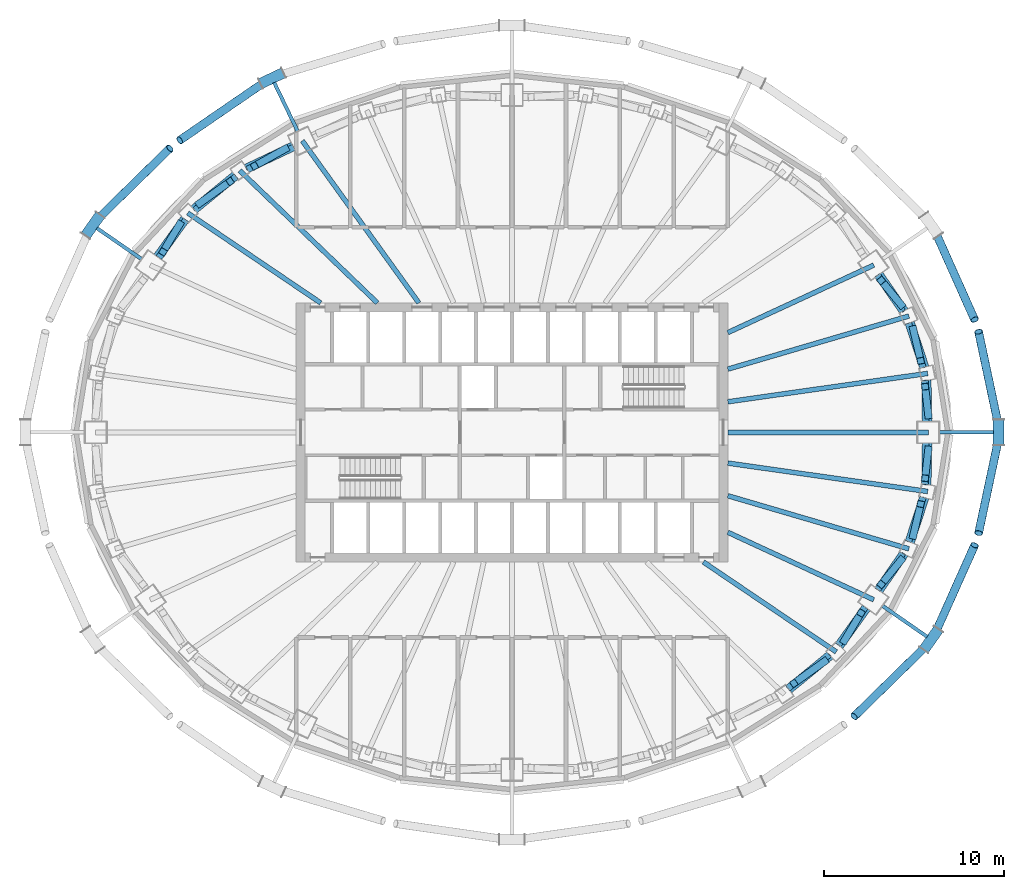
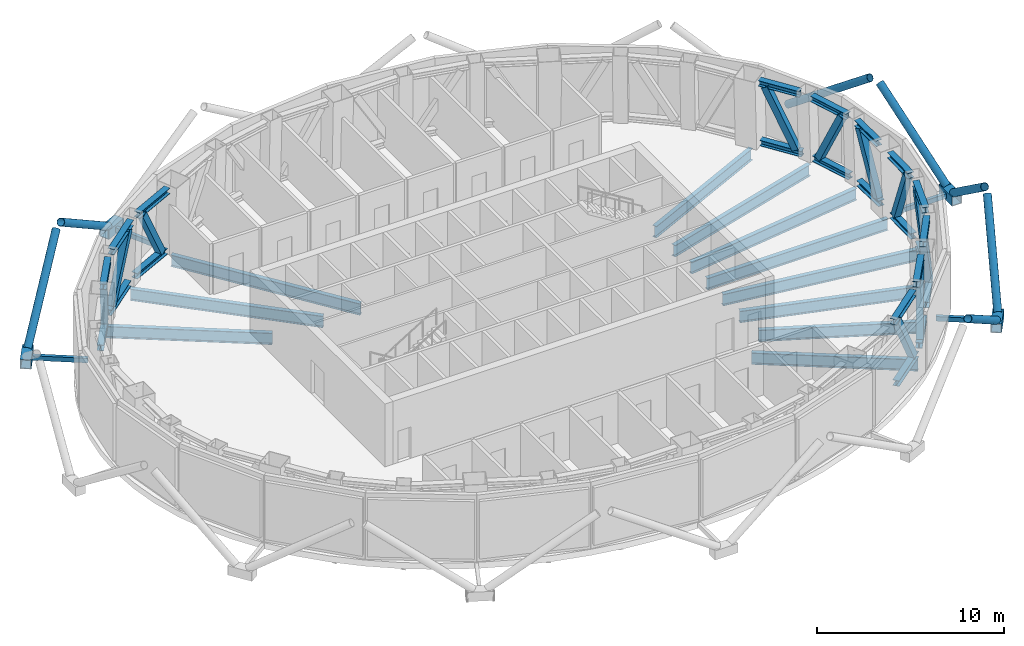
# One storey, part 3 of 16: 33 beams, 26 members.
"""IFC4 building model written with IfcOpenShell, lengths in metres."""

import ifcopenshell
import ifcopenshell.guid

model = None  # the IFC model being written
_history = None  # IfcOwnerHistory: only IFC2X3 demands one
_inside = {}  # id of a spatial element -> (the spatial element, [elements in it])
_under = {}  # id of a project, library or spatial element -> (it, [spatial elements below it])
_declared = {}  # id of a project -> (the project, [libraries it declares])
_typed = {}  # id of a type object -> (the type object, [elements of that type])
_made_of = {}  # id of a material, layer set ... -> (it, [elements and type objects made of it])


def new_model(schema):
    """Start an empty IFC model of exactly this schema.

    Asked for "IFC4X3", IfcOpenShell would pick the latest addendum, in which some entities
    have other attributes; the version numbers below select the first issue.
    IFC2X3 requires an IfcOwnerHistory on every rooted entity: one is made here for all.
    """
    global model, _history
    if schema == "IFC4X3":
        model = ifcopenshell.file(schema_version=(4, 3, 0, 0))
    else:
        model = ifcopenshell.file(schema=schema)
    _inside.clear()
    _under.clear()
    _declared.clear()
    _typed.clear()
    _made_of.clear()
    _history = None
    if model.schema == "IFC2X3":
        org = make("IfcOrganization", Name="unknown")
        user = make(
            "IfcPersonAndOrganization",
            ThePerson=make("IfcPerson", FamilyName="unknown"),
            TheOrganization=org,
        )
        app = make(
            "IfcApplication",
            ApplicationDeveloper=org,
            Version="unknown",
            ApplicationFullName="unknown",
            ApplicationIdentifier="unknown",
        )
        _history = make(
            "IfcOwnerHistory",
            OwningUser=user,
            OwningApplication=app,
            ChangeAction="ADDED",
            CreationDate=0,
        )
    return model


def make(cls, **values):
    """One entity of the class cls with the attributes given. An attribute that is None is left unset."""
    return model.create_entity(
        cls, **{name: value for name, value in values.items() if value is not None}
    )


def rooted(cls, **values):
    """An entity with a GlobalId (a new one), such as an element, a storey or a relation."""
    return make(cls, GlobalId=ifcopenshell.guid.new(), OwnerHistory=_history, **values)


def si_unit(unit_type, name, prefix=None):
    """IfcSIUnit, for example si_unit("LENGTHUNIT", "METRE", prefix="MILLI")."""
    return make("IfcSIUnit", UnitType=unit_type, Prefix=prefix, Name=name)


def assignment(units):
    """IfcUnitAssignment: the units of a project."""
    return None if units is None else make("IfcUnitAssignment", Units=units)


def point(xyz):
    """IfcCartesianPoint."""
    return None if xyz is None else make("IfcCartesianPoint", Coordinates=xyz)


def direction(xyz):
    """IfcDirection."""
    return None if xyz is None else make("IfcDirection", DirectionRatios=xyz)


def frame(location, z_axis=None, x_axis=None):
    """IfcAxis2Placement3D, a coordinate frame: its origin and axes. An axis left out is left unset."""
    return make(
        "IfcAxis2Placement3D",
        Location=point(location),
        Axis=direction(z_axis),
        RefDirection=direction(x_axis),
    )


def frame_2d(location, x_axis=None):
    """IfcAxis2Placement2D, a coordinate frame in the plane: its origin and x axis."""
    return make(
        "IfcAxis2Placement2D", Location=point(location), RefDirection=direction(x_axis)
    )


def origin():
    """The frame at (0, 0, 0) with its axes left unset."""
    return frame((0.0, 0.0, 0.0))


def origin_2d():
    """The frame at (0, 0) in the plane with its x axis left unset."""
    return frame_2d((0.0, 0.0))


def place(relative_to, where):
    """IfcLocalPlacement: puts the frame where relative to a parent placement (None: the world)."""
    return make(
        "IfcLocalPlacement", PlacementRelTo=relative_to, RelativePlacement=where
    )


def context(
    kind, dimensions, precision=None, world=None, true_north=None, identifier=None
):
    """IfcGeometricRepresentationContext, for example the 3D "Model" context."""
    return make(
        "IfcGeometricRepresentationContext",
        ContextIdentifier=identifier,
        ContextType=kind,
        CoordinateSpaceDimension=dimensions,
        Precision=precision,
        WorldCoordinateSystem=world,
        TrueNorth=true_north,
    )


def subcontext(parent, identifier, kind, view, scale=None):
    """IfcGeometricRepresentationSubContext, for example "Body" below "Model"."""
    return make(
        "IfcGeometricRepresentationSubContext",
        ContextIdentifier=identifier,
        ContextType=kind,
        ParentContext=parent,
        TargetScale=scale,
        TargetView=view,
    )


def project(units=None, contexts=None):
    """IfcProject with its units and contexts."""
    return rooted(
        "IfcProject",
        Name="project",
        RepresentationContexts=contexts,
        UnitsInContext=assignment(units),
    )


def spatial(cls, under=None, at=None, **own):
    """A site, building, storey or space (cls), placed at a placement, below another one or the project."""
    s = rooted(cls, ObjectPlacement=at, **own)
    if under is not None:
        _under.setdefault(under.id(), (under, []))[1].append(s)
    return s


def profile(cls, at=None, kind="AREA", **sizes):
    """A parametric profile (cls). Its sizes go by their IFC names, for example OverallWidth=200.0."""
    return make(cls, ProfileType=kind, Position=at, **sizes)


def hollow_rectangle(**sizes):
    """IfcRectangleHollowProfileDef."""
    return profile("IfcRectangleHollowProfileDef", **sizes)


def hollow_circle(**sizes):
    """IfcCircleHollowProfileDef."""
    return profile("IfcCircleHollowProfileDef", **sizes)


def i_section(**sizes):
    """IfcIShapeProfileDef."""
    return profile("IfcIShapeProfileDef", **sizes)


def extrude(swept, where, along, depth):
    """IfcExtrudedAreaSolid: the profile swept, set in the frame where, extruded along a direction by depth."""
    return make(
        "IfcExtrudedAreaSolid",
        SweptArea=swept,
        Position=where,
        ExtrudedDirection=direction(along),
        Depth=depth,
    )


def shape(context_of_items, identifier, shape_type, items):
    """IfcShapeRepresentation: the items that make up one representation, for example the "Body"."""
    return make(
        "IfcShapeRepresentation",
        ContextOfItems=context_of_items,
        RepresentationIdentifier=identifier,
        RepresentationType=shape_type,
        Items=items,
    )


def material(Name=None, Category=None):
    """IfcMaterial."""
    return make("IfcMaterial", Name=Name, Category=Category)


def material_profile(
    of_material, cross_section, Name=None, Category=None, Priority=None
):
    """IfcMaterialProfile: a cross section and its material."""
    return make(
        "IfcMaterialProfile",
        Name=Name,
        Material=of_material,
        Profile=cross_section,
        Priority=Priority,
        Category=Category,
    )


def profile_set(profiles, Name=None, composite=None):
    """IfcMaterialProfileSet."""
    return make(
        "IfcMaterialProfileSet",
        Name=Name,
        MaterialProfiles=profiles,
        CompositeProfile=composite,
    )


def made_of(thing, what):
    """Note that an element or type object is made of a material, layer set ...; save() writes the relation."""
    if what is not None:
        _made_of.setdefault(what.id(), (what, []))[1].append(thing)
    return thing


def type_object(cls, material=None, **own):
    """A type object (cls), such as IfcWallType, which elements share."""
    return made_of(rooted(cls, **own), material)


def element(
    cls,
    number,
    at=None,
    inside=None,
    cuts=None,
    type_object=None,
    material=None,
    context=None,
    identifier="Body",
    shape_type=None,
    held_by="IfcProductDefinitionShape",
    body=None,
    shapes=None,
    **own,
):
    """One element of the class cls, such as IfcWall. Its Tag is "e" and its number.

    at: its placement. inside: the storey or other place that contains it. cuts: it is an
    opening in that element (IfcRelVoidsElement). A single representation is given by context,
    identifier, shape_type and body (its items); several are given by shapes. held_by: the class
    of the entity that holds the representations. save() writes the other relations.
    """
    e = rooted(cls, Tag="e%d" % number, ObjectPlacement=at, **own)
    if body is not None:
        shapes = [shape(context, identifier, shape_type, body)]
    if shapes is not None:
        e.Representation = make(held_by, Representations=shapes)
    if inside is not None:
        _inside.setdefault(inside.id(), (inside, []))[1].append(e)
    if cuts is not None:
        rooted(
            "IfcRelVoidsElement", RelatingBuildingElement=cuts, RelatedOpeningElement=e
        )
    if type_object is not None:
        _typed.setdefault(type_object.id(), (type_object, []))[1].append(e)
    return made_of(e, material)


def aggregate(whole, parts):
    """IfcRelAggregates: a whole, such as a stair, and the parts it consists of."""
    return rooted("IfcRelAggregates", RelatingObject=whole, RelatedObjects=parts)


def save(model, path):
    """Write the relations noted so far, then the file.

    IfcRelAggregates (storeys below a building ...), IfcRelContainedInSpatialStructure (elements
    in a storey), IfcRelDefinesByType, IfcRelAssociatesMaterial and IfcRelDeclares: one each for
    every whole, place, type object, material and project.
    """
    for whole, parts in _under.values():
        aggregate(whole, parts)
    for where, things in _inside.values():
        rooted(
            "IfcRelContainedInSpatialStructure",
            RelatedElements=things,
            RelatingStructure=where,
        )
    for kind, things in _typed.values():
        rooted("IfcRelDefinesByType", RelatedObjects=things, RelatingType=kind)
    for what, things in _made_of.values():
        rooted("IfcRelAssociatesMaterial", RelatedObjects=things, RelatingMaterial=what)
    for by, libraries in _declared.values():
        rooted("IfcRelDeclares", RelatingContext=by, RelatedDefinitions=libraries)
    model.write(path)


model = new_model("IFC4")

# Units and contexts
model_context = context("Model", 3, precision=1e-05, world=origin(), true_north=direction((0.0, 1.0)))
body_context = subcontext(model_context, "Body", "Model", "MODEL_VIEW")
ifc_project = project(units=[si_unit("LENGTHUNIT", "METRE"), si_unit("AREAUNIT", "SQUARE_METRE"), si_unit("VOLUMEUNIT", "CUBIC_METRE"), si_unit("PLANEANGLEUNIT", "RADIAN"), si_unit("MASSUNIT", "GRAM", prefix="KILO")], contexts=[model_context])

# Site, building, storey
site_placement = place(None, origin())
site = spatial("IfcSite", under=ifc_project, at=site_placement, CompositionType="ELEMENT")
building_placement = place(site_placement, origin())
building = spatial("IfcBuilding", under=site, at=building_placement, Name="Siaravel Broadcast Tower", CompositionType="ELEMENT")
storey_placement = place(building_placement, frame((0.0, 0.0, 152.60009765625)))
storey = spatial("IfcBuildingStorey", under=building, at=storey_placement, Name="L36", CompositionType="ELEMENT", Elevation=152.60009765625)

# Beams
ifc_material_1 = material(Name="Steel S355", Category="steel")
ifc_material_profile_1 = material_profile(ifc_material_1, i_section(OverallWidth=0.26513671875, OverallDepth=0.75390625, WebThickness=0.0126953125, FlangeThickness=0.017578125, FilletRadius=0.0166015625, at=origin_2d()))
ifc_profile_set_1 = profile_set([ifc_material_profile_1], Name="Steel S355")
beam_type_1 = type_object("IfcBeamType", Name="BM-UB 762x267x147", PredefinedType="BEAM", material=ifc_profile_set_1)
beam_1_placement = place(storey_placement, frame((23.16064453125, 0.0, -0.777099609375), z_axis=(-1.0, 0.0, 0.0), x_axis=(0.0, -1.0, 0.0)))
element("IfcBeam", 1, at=beam_1_placement, inside=storey, type_object=beam_type_1, Name="Radial beam RB01", PredefinedType="BEAM", context=body_context, shape_type="SweptSolid", body=[
    extrude(i_section(OverallWidth=0.26513671875, OverallDepth=0.75390625, WebThickness=0.0126953125, FlangeThickness=0.017578125, FilletRadius=0.0166015625, at=origin_2d()), origin(), (0.0, 0.0, 1.0), 11.16064453125),
])
beam_2_placement = place(storey_placement, frame((23.110107421875, 3.282470703125, -0.777099609375), z_axis=(-0.990061877, -0.14063243, 0.0), x_axis=(0.14063243, -0.990061877, 0.0)))
element("IfcBeam", 2, at=beam_2_placement, inside=storey, type_object=beam_type_1, Name="Radial beam RB02", PredefinedType="BEAM", context=body_context, shape_type="SweptSolid", body=[
    extrude(i_section(OverallWidth=0.26513671875, OverallDepth=0.75390625, WebThickness=0.0126953125, FlangeThickness=0.017578125, FilletRadius=0.0166015625, at=origin_2d()), origin(), (0.0, 0.0, 1.0), 11.2216796875),
])
beam_3_placement = place(storey_placement, frame((22.06640625, 6.4716796875, -0.777099609375), z_axis=(-0.959579793, -0.28143671, 0.0), x_axis=(0.28143671, -0.959579793, 0.0)))
element("IfcBeam", 3, at=beam_3_placement, inside=storey, type_object=beam_type_1, Name="Radial beam RB03", PredefinedType="BEAM", context=body_context, shape_type="SweptSolid", body=[
    extrude(i_section(OverallWidth=0.26513671875, OverallDepth=0.75390625, WebThickness=0.0126953125, FlangeThickness=0.017578125, FilletRadius=0.0166015625, at=origin_2d()), origin(), (0.0, 0.0, 1.0), 10.490478515625),
])
beam_4_placement = place(storey_placement, frame((20.111328125, 9.302490234375, -0.777099609375), z_axis=(-0.907607264, -0.419820264, 0.0), x_axis=(0.419820264, -0.907607264, 0.0)))
element("IfcBeam", 4, at=beam_4_placement, inside=storey, type_object=beam_type_1, Name="Radial beam RB04", PredefinedType="BEAM", context=body_context, shape_type="SweptSolid", body=[
    extrude(i_section(OverallWidth=0.26513671875, OverallDepth=0.75390625, WebThickness=0.0126953125, FlangeThickness=0.017578125, FilletRadius=0.0166015625, at=origin_2d()), origin(), (0.0, 0.0, 1.0), 8.93701171875),
])
beam_5_placement = place(storey_placement, frame((-11.66015625, 16.21533203125, -0.777099609375), z_axis=(0.583820417, -0.811882825, 0.0), x_axis=(0.811882825, 0.583820417, 0.0)))
element("IfcBeam", 5, at=beam_5_placement, inside=storey, type_object=beam_type_1, Name="Radial beam RB13", PredefinedType="BEAM", context=body_context, shape_type="SweptSolid", body=[
    extrude(i_section(OverallWidth=0.26513671875, OverallDepth=0.75390625, WebThickness=0.0126953125, FlangeThickness=0.017578125, FilletRadius=0.0166015625, at=origin_2d()), origin(), (0.0, 0.0, 1.0), 11.104248046875),
])
beam_6_placement = place(storey_placement, frame((-15.141357421875, 14.563720703125, -0.777099609375), z_axis=(0.720717342, -0.693229048, 0.0), x_axis=(0.693229048, 0.720717342, 0.0)))
element("IfcBeam", 6, at=beam_6_placement, inside=storey, type_object=beam_type_1, Name="Radial beam RB14", PredefinedType="BEAM", context=body_context, shape_type="SweptSolid", body=[
    extrude(i_section(OverallWidth=0.26513671875, OverallDepth=0.75390625, WebThickness=0.0126953125, FlangeThickness=0.017578125, FilletRadius=0.0166015625, at=origin_2d()), origin(), (0.0, 0.0, 1.0), 10.622314453125),
])
for number, where, z_axis, x_axis, name in (
    (7, (-18.02587890625, 12.201171875, -0.777099609375), (0.828127255, -0.560540141, 0.0), (0.560540141, 0.828127255, 0.0), "Radial beam RB15"),
    (8, (18.02587890625, -12.201171875, -0.777099609375), (-0.828127255, 0.560540141, 0.0), (-0.560540141, -0.828127255, 0.0), "Radial beam RB33"),
):
    element("IfcBeam", number, at=place(storey_placement, frame(where, z_axis=z_axis, x_axis=x_axis)), inside=storey, type_object=beam_type_1, Name=name, PredefinedType="BEAM", context=body_context, shape_type="SweptSolid", body=[
        extrude(i_section(OverallWidth=0.26513671875, OverallDepth=0.75390625, WebThickness=0.0126953125, FlangeThickness=0.017578125, FilletRadius=0.0166015625, at=origin_2d()), origin(), (0.0, 0.0, 1.0), 8.922119140625),
    ])
beam_7_placement = place(storey_placement, frame((20.111328125, -9.302490234375, -0.777099609375), z_axis=(-0.907607264, 0.419820264, 0.0), x_axis=(-0.419820264, -0.907607264, 0.0)))
element("IfcBeam", 9, at=beam_7_placement, inside=storey, type_object=beam_type_1, Name="Radial beam RB34", PredefinedType="BEAM", context=body_context, shape_type="SweptSolid", body=[
    extrude(i_section(OverallWidth=0.26513671875, OverallDepth=0.75390625, WebThickness=0.0126953125, FlangeThickness=0.017578125, FilletRadius=0.0166015625, at=origin_2d()), origin(), (0.0, 0.0, 1.0), 8.93701171875),
])
beam_8_placement = place(storey_placement, frame((22.06640625, -6.4716796875, -0.777099609375), z_axis=(-0.959579793, 0.28143671, 0.0), x_axis=(-0.28143671, -0.959579793, 0.0)))
element("IfcBeam", 10, at=beam_8_placement, inside=storey, type_object=beam_type_1, Name="Radial beam RB35", PredefinedType="BEAM", context=body_context, shape_type="SweptSolid", body=[
    extrude(i_section(OverallWidth=0.26513671875, OverallDepth=0.75390625, WebThickness=0.0126953125, FlangeThickness=0.017578125, FilletRadius=0.0166015625, at=origin_2d()), origin(), (0.0, 0.0, 1.0), 10.490478515625),
])
beam_9_placement = place(storey_placement, frame((23.110107421875, -3.282470703125, -0.777099609375), z_axis=(-0.990061877, 0.14063243, 0.0), x_axis=(-0.14063243, -0.990061877, 0.0)))
element("IfcBeam", 11, at=beam_9_placement, inside=storey, type_object=beam_type_1, Name="Radial beam RB36", PredefinedType="BEAM", context=body_context, shape_type="SweptSolid", body=[
    extrude(i_section(OverallWidth=0.26513671875, OverallDepth=0.75390625, WebThickness=0.0126953125, FlangeThickness=0.017578125, FilletRadius=0.0166015625, at=origin_2d()), origin(), (0.0, 0.0, 1.0), 11.2216796875),
])
ifc_material_2 = material(Name="Steel S460", Category="steel")
ifc_material_profile_2 = material_profile(ifc_material_2, i_section(OverallWidth=0.37255859375, OverallDepth=0.3681640625, WebThickness=0.01220703125, FlangeThickness=0.023681640625, FilletRadius=0.01513671875, at=origin_2d()))
ifc_profile_set_2 = profile_set([ifc_material_profile_2], Name="Steel S460")
beam_type_2 = type_object("IfcBeamType", Name="Belt truss chord UC 356x368x177", PredefinedType="BEAM", material=ifc_profile_set_2)
beam_10_placement = place(storey_placement, frame((23.151611328125, 0.594970703125, 0.18408203125), z_axis=(-0.015484869, 0.999880102, 0.0), x_axis=(-0.999880102, -0.015484869, 0.0)))
element("IfcBeam", 12, at=beam_10_placement, inside=storey, type_object=beam_type_2, Name="Belt truss 2 bottom chord 01", PredefinedType="BEAM", context=body_context, shape_type="SweptSolid", body=[
    extrude(i_section(OverallWidth=0.37255859375, OverallDepth=0.3681640625, WebThickness=0.01220703125, FlangeThickness=0.023681640625, FilletRadius=0.01513671875, at=origin_2d()), origin(), (0.0, 0.0, 1.0), 2.317626953125),
])
beam_11_placement = place(storey_placement, frame((22.99609375, 0.594970703125, 4.165771484375), z_axis=(-0.014782473, 0.999890733, 0.0), x_axis=(-0.999890733, -0.014782473, 0.0)))
element("IfcBeam", 13, at=beam_11_placement, inside=storey, type_object=beam_type_2, Name="Belt truss 2 top chord 01", PredefinedType="BEAM", context=body_context, shape_type="SweptSolid", body=[
    extrude(i_section(OverallWidth=0.37255859375, OverallDepth=0.3681640625, WebThickness=0.01220703125, FlangeThickness=0.023681640625, FilletRadius=0.01513671875, at=origin_2d()), origin(), (0.0, 0.0, 1.0), 2.295654296875),
])
beam_12_placement = place(storey_placement, frame((22.994873046875, 3.634033203125, 0.18408203125), z_axis=(-0.310902634, 0.950441767, 0.0), x_axis=(-0.950441767, -0.310902634, 0.0)))
element("IfcBeam", 14, at=beam_12_placement, inside=storey, type_object=beam_type_2, Name="Belt truss 2 bottom chord 02", PredefinedType="BEAM", context=body_context, shape_type="SweptSolid", body=[
    extrude(i_section(OverallWidth=0.37255859375, OverallDepth=0.3681640625, WebThickness=0.01220703125, FlangeThickness=0.023681640625, FilletRadius=0.01513671875, at=origin_2d()), origin(), (0.0, 0.0, 1.0), 2.61572265625),
])
beam_13_placement = place(storey_placement, frame((22.841552734375, 3.612060546875, 4.165771484375), z_axis=(-0.31099731, 0.950410792, 0.0), x_axis=(-0.950410792, -0.31099731, 0.0)))
element("IfcBeam", 15, at=beam_13_placement, inside=storey, type_object=beam_type_2, Name="Belt truss 2 top chord 02", PredefinedType="BEAM", context=body_context, shape_type="SweptSolid", body=[
    extrude(i_section(OverallWidth=0.37255859375, OverallDepth=0.3681640625, WebThickness=0.01220703125, FlangeThickness=0.023681640625, FilletRadius=0.01513671875, at=origin_2d()), origin(), (0.0, 0.0, 1.0), 2.593017578125),
])
beam_14_placement = place(storey_placement, frame((21.856201171875, 6.776123046875, 0.18408203125), z_axis=(-0.568327471, 0.822802458, 0.0), x_axis=(-0.822802458, -0.568327471, 0.0)))
element("IfcBeam", 16, at=beam_14_placement, inside=storey, type_object=beam_type_2, Name="Belt truss 2 bottom chord 03", PredefinedType="BEAM", context=body_context, shape_type="SweptSolid", body=[
    extrude(i_section(OverallWidth=0.37255859375, OverallDepth=0.3681640625, WebThickness=0.01220703125, FlangeThickness=0.023681640625, FilletRadius=0.01513671875, at=origin_2d()), origin(), (0.0, 0.0, 1.0), 2.475341796875),
])
beam_15_placement = place(storey_placement, frame((21.709716796875, 6.732421875, 4.165771484375), z_axis=(-0.568863075, 0.822432248, 0.0), x_axis=(-0.822432248, -0.568863075, 0.0)))
element("IfcBeam", 17, at=beam_15_placement, inside=storey, type_object=beam_type_2, Name="Belt truss 2 top chord 03", PredefinedType="BEAM", context=body_context, shape_type="SweptSolid", body=[
    extrude(i_section(OverallWidth=0.37255859375, OverallDepth=0.3681640625, WebThickness=0.01220703125, FlangeThickness=0.023681640625, FilletRadius=0.01513671875, at=origin_2d()), origin(), (0.0, 0.0, 1.0), 2.452392578125),
])
beam_16_placement = place(storey_placement, frame((-12.19775390625, 15.960205078125, 0.18408203125), z_axis=(-0.903484633, -0.428620482, 0.0), x_axis=(0.428620482, -0.903484633, 0.0)))
element("IfcBeam", 18, at=beam_16_placement, inside=storey, type_object=beam_type_2, Name="Belt truss 2 bottom chord 13", PredefinedType="BEAM", context=body_context, shape_type="SweptSolid", body=[
    extrude(i_section(OverallWidth=0.37255859375, OverallDepth=0.3681640625, WebThickness=0.01220703125, FlangeThickness=0.023681640625, FilletRadius=0.01513671875, at=origin_2d()), origin(), (0.0, 0.0, 1.0), 2.887939453125),
])
beam_17_placement = place(storey_placement, frame((-12.119873046875, 15.85009765625, 4.165771484375), z_axis=(-0.903710051, -0.428145003, 0.0), x_axis=(0.428145003, -0.903710051, 0.0)))
element("IfcBeam", 19, at=beam_17_placement, inside=storey, type_object=beam_type_2, Name="Belt truss 2 top chord 13", PredefinedType="BEAM", context=body_context, shape_type="SweptSolid", body=[
    extrude(i_section(OverallWidth=0.37255859375, OverallDepth=0.3681640625, WebThickness=0.01220703125, FlangeThickness=0.023681640625, FilletRadius=0.01513671875, at=origin_2d()), origin(), (0.0, 0.0, 1.0), 2.862548828125),
])
beam_18_placement = place(storey_placement, frame((-15.427490234375, 14.329345703125, 0.18408203125), z_axis=(-0.773636931, -0.633629149, 0.0), x_axis=(0.633629149, -0.773636931, 0.0)))
element("IfcBeam", 20, at=beam_18_placement, inside=storey, type_object=beam_type_2, Name="Belt truss 2 bottom chord 14", PredefinedType="BEAM", context=body_context, shape_type="SweptSolid", body=[
    extrude(i_section(OverallWidth=0.37255859375, OverallDepth=0.3681640625, WebThickness=0.01220703125, FlangeThickness=0.023681640625, FilletRadius=0.01513671875, at=origin_2d()), origin(), (0.0, 0.0, 1.0), 2.98876953125),
])
beam_19_placement = place(storey_placement, frame((-15.327392578125, 14.231689453125, 4.165771484375), z_axis=(-0.773608541, -0.633663811, 0.0), x_axis=(0.633663811, -0.773608541, 0.0)))
element("IfcBeam", 21, at=beam_19_placement, inside=storey, type_object=beam_type_2, Name="Belt truss 2 top chord 14", PredefinedType="BEAM", context=body_context, shape_type="SweptSolid", body=[
    extrude(i_section(OverallWidth=0.37255859375, OverallDepth=0.3681640625, WebThickness=0.01220703125, FlangeThickness=0.023681640625, FilletRadius=0.01513671875, at=origin_2d()), origin(), (0.0, 0.0, 1.0), 2.964111328125),
])
beam_20_placement = place(storey_placement, frame((-18.241943359375, 11.90087890625, 0.18408203125), z_axis=(-0.58400854, -0.811747513, 0.0), x_axis=(0.811747513, -0.58400854, 0.0)))
element("IfcBeam", 22, at=beam_20_placement, inside=storey, type_object=beam_type_2, Name="Belt truss 2 bottom chord 15", PredefinedType="BEAM", context=body_context, shape_type="SweptSolid", body=[
    extrude(i_section(OverallWidth=0.37255859375, OverallDepth=0.3681640625, WebThickness=0.01220703125, FlangeThickness=0.023681640625, FilletRadius=0.01513671875, at=origin_2d()), origin(), (0.0, 0.0, 1.0), 2.606201171875),
])
beam_21_placement = place(storey_placement, frame((-18.12255859375, 11.818603515625, 4.165771484375), z_axis=(-0.583489916, -0.812120384, 0.0), x_axis=(0.812120384, -0.583489916, 0.0)))
element("IfcBeam", 23, at=beam_21_placement, inside=storey, type_object=beam_type_2, Name="Belt truss 2 top chord 15", PredefinedType="BEAM", context=body_context, shape_type="SweptSolid", body=[
    extrude(i_section(OverallWidth=0.37255859375, OverallDepth=0.3681640625, WebThickness=0.01220703125, FlangeThickness=0.023681640625, FilletRadius=0.01513671875, at=origin_2d()), origin(), (0.0, 0.0, 1.0), 2.58203125),
])
beam_22_placement = place(storey_placement, frame((15.427490234375, -14.329345703125, 0.18408203125), z_axis=(0.773636931, 0.633629149, 0.0), x_axis=(-0.633629149, 0.773636931, 0.0)))
element("IfcBeam", 24, at=beam_22_placement, inside=storey, type_object=beam_type_2, Name="Belt truss 2 bottom chord 32", PredefinedType="BEAM", context=body_context, shape_type="SweptSolid", body=[
    extrude(i_section(OverallWidth=0.37255859375, OverallDepth=0.3681640625, WebThickness=0.01220703125, FlangeThickness=0.023681640625, FilletRadius=0.01513671875, at=origin_2d()), origin(), (0.0, 0.0, 1.0), 2.98876953125),
])
beam_23_placement = place(storey_placement, frame((15.327392578125, -14.231689453125, 4.165771484375), z_axis=(0.773608541, 0.633663811, 0.0), x_axis=(-0.633663811, 0.773608541, 0.0)))
element("IfcBeam", 25, at=beam_23_placement, inside=storey, type_object=beam_type_2, Name="Belt truss 2 top chord 32", PredefinedType="BEAM", context=body_context, shape_type="SweptSolid", body=[
    extrude(i_section(OverallWidth=0.37255859375, OverallDepth=0.3681640625, WebThickness=0.01220703125, FlangeThickness=0.023681640625, FilletRadius=0.01513671875, at=origin_2d()), origin(), (0.0, 0.0, 1.0), 2.964111328125),
])
beam_24_placement = place(storey_placement, frame((18.241943359375, -11.90087890625, 0.18408203125), z_axis=(0.58400854, 0.811747513, 0.0), x_axis=(-0.811747513, 0.58400854, 0.0)))
element("IfcBeam", 26, at=beam_24_placement, inside=storey, type_object=beam_type_2, Name="Belt truss 2 bottom chord 33", PredefinedType="BEAM", context=body_context, shape_type="SweptSolid", body=[
    extrude(i_section(OverallWidth=0.37255859375, OverallDepth=0.3681640625, WebThickness=0.01220703125, FlangeThickness=0.023681640625, FilletRadius=0.01513671875, at=origin_2d()), origin(), (0.0, 0.0, 1.0), 2.606201171875),
])
beam_25_placement = place(storey_placement, frame((18.12255859375, -11.818603515625, 4.165771484375), z_axis=(0.583489916, 0.812120384, 0.0), x_axis=(-0.812120384, 0.583489916, 0.0)))
element("IfcBeam", 27, at=beam_25_placement, inside=storey, type_object=beam_type_2, Name="Belt truss 2 top chord 33", PredefinedType="BEAM", context=body_context, shape_type="SweptSolid", body=[
    extrude(i_section(OverallWidth=0.37255859375, OverallDepth=0.3681640625, WebThickness=0.01220703125, FlangeThickness=0.023681640625, FilletRadius=0.01513671875, at=origin_2d()), origin(), (0.0, 0.0, 1.0), 2.58203125),
])
beam_26_placement = place(storey_placement, frame((20.449462890625, -8.812744140625, 0.18408203125), z_axis=(0.568327471, 0.822802458, 0.0), x_axis=(-0.822802458, 0.568327471, 0.0)))
element("IfcBeam", 28, at=beam_26_placement, inside=storey, type_object=beam_type_2, Name="Belt truss 2 bottom chord 34", PredefinedType="BEAM", context=body_context, shape_type="SweptSolid", body=[
    extrude(i_section(OverallWidth=0.37255859375, OverallDepth=0.3681640625, WebThickness=0.01220703125, FlangeThickness=0.023681640625, FilletRadius=0.01513671875, at=origin_2d()), origin(), (0.0, 0.0, 1.0), 2.475341796875),
])
beam_27_placement = place(storey_placement, frame((20.314697265625, -8.749267578125, 4.165771484375), z_axis=(0.568863075, 0.822432248, 0.0), x_axis=(-0.822432248, 0.568863075, 0.0)))
element("IfcBeam", 29, at=beam_27_placement, inside=storey, type_object=beam_type_2, Name="Belt truss 2 top chord 34", PredefinedType="BEAM", context=body_context, shape_type="SweptSolid", body=[
    extrude(i_section(OverallWidth=0.37255859375, OverallDepth=0.3681640625, WebThickness=0.01220703125, FlangeThickness=0.023681640625, FilletRadius=0.01513671875, at=origin_2d()), origin(), (0.0, 0.0, 1.0), 2.452392578125),
])
beam_28_placement = place(storey_placement, frame((22.181640625, -6.1201171875, 0.18408203125), z_axis=(0.310902634, 0.950441767, 0.0), x_axis=(-0.950441767, 0.310902634, 0.0)))
element("IfcBeam", 30, at=beam_28_placement, inside=storey, type_object=beam_type_2, Name="Belt truss 2 bottom chord 35", PredefinedType="BEAM", context=body_context, shape_type="SweptSolid", body=[
    extrude(i_section(OverallWidth=0.37255859375, OverallDepth=0.3681640625, WebThickness=0.01220703125, FlangeThickness=0.023681640625, FilletRadius=0.01513671875, at=origin_2d()), origin(), (0.0, 0.0, 1.0), 2.61572265625),
])
beam_29_placement = place(storey_placement, frame((22.03515625, -6.076416015625, 4.165771484375), z_axis=(0.31099731, 0.950410792, 0.0), x_axis=(-0.950410792, 0.31099731, 0.0)))
element("IfcBeam", 31, at=beam_29_placement, inside=storey, type_object=beam_type_2, Name="Belt truss 2 top chord 35", PredefinedType="BEAM", context=body_context, shape_type="SweptSolid", body=[
    extrude(i_section(OverallWidth=0.37255859375, OverallDepth=0.3681640625, WebThickness=0.01220703125, FlangeThickness=0.023681640625, FilletRadius=0.01513671875, at=origin_2d()), origin(), (0.0, 0.0, 1.0), 2.593017578125),
])
beam_30_placement = place(storey_placement, frame((23.11572265625, -2.912353515625, 0.18408203125), z_axis=(0.015484869, 0.999880102, 0.0), x_axis=(-0.999880102, 0.015484869, 0.0)))
element("IfcBeam", 32, at=beam_30_placement, inside=storey, type_object=beam_type_2, Name="Belt truss 2 bottom chord 36", PredefinedType="BEAM", context=body_context, shape_type="SweptSolid", body=[
    extrude(i_section(OverallWidth=0.37255859375, OverallDepth=0.3681640625, WebThickness=0.01220703125, FlangeThickness=0.023681640625, FilletRadius=0.01513671875, at=origin_2d()), origin(), (0.0, 0.0, 1.0), 2.317626953125),
])
beam_31_placement = place(storey_placement, frame((22.962158203125, -2.890380859375, 4.165771484375), z_axis=(0.014782473, 0.999890733, 0.0), x_axis=(-0.999890733, 0.014782473, 0.0)))
element("IfcBeam", 33, at=beam_31_placement, inside=storey, type_object=beam_type_2, Name="Belt truss 2 top chord 36", PredefinedType="BEAM", context=body_context, shape_type="SweptSolid", body=[
    extrude(i_section(OverallWidth=0.37255859375, OverallDepth=0.3681640625, WebThickness=0.01220703125, FlangeThickness=0.023681640625, FilletRadius=0.01513671875, at=origin_2d()), origin(), (0.0, 0.0, 1.0), 2.295654296875),
])

# Members
ifc_material_profile_3 = material_profile(ifc_material_2, hollow_rectangle(XDim=0.39990234375, YDim=0.39990234375, WallThickness=0.01611328125, at=origin_2d()))
ifc_profile_set_3 = profile_set([ifc_material_profile_3], Name="Steel S460")
member_type_1 = type_object("IfcMemberType", Name="Belt truss web RHS 400x400x16", PredefinedType="BRACE", material=ifc_profile_set_3)
member_1_placement = place(storey_placement, frame((23.14599609375, 0.942626953125, 0.338134765625), z_axis=(-0.044542037, 0.39960049, 0.915606605), x_axis=(-0.993844916, -0.110780338, 0.0)))
element("IfcMember", 34, at=member_1_placement, inside=storey, type_object=member_type_1, Name="Belt truss 2 web 01", PredefinedType="BRACE", context=body_context, shape_type="SweptSolid", body=[
    extrude(hollow_rectangle(XDim=0.39990234375, YDim=0.39990234375, WallThickness=0.01611328125, at=origin_2d()), origin(), (0.0, 0.0, 1.0), 4.01220703125),
])
member_2_placement = place(storey_placement, frame((22.3037109375, 5.747314453125, 0.338134765625), z_axis=(0.101776476, -0.430941144, 0.89662215), x_axis=(0.973226224, 0.229849335, 0.0)))
element("IfcMember", 35, at=member_2_placement, inside=storey, type_object=member_type_1, Name="Belt truss 2 web 02", PredefinedType="BRACE", context=body_context, shape_type="SweptSolid", body=[
    extrude(hollow_rectangle(XDim=0.39990234375, YDim=0.39990234375, WallThickness=0.01611328125, at=origin_2d()), origin(), (0.0, 0.0, 1.0), 4.09716796875),
])
member_3_placement = place(storey_placement, frame((21.645263671875, 7.081787109375, 0.338134765625), z_axis=(-0.275035178, 0.334869704, 0.901231342), x_axis=(-0.772767413, -0.634689315, 0.0)))
element("IfcMember", 36, at=member_3_placement, inside=storey, type_object=member_type_1, Name="Belt truss 2 web 03", PredefinedType="BRACE", context=body_context, shape_type="SweptSolid", body=[
    extrude(hollow_rectangle(XDim=0.39990234375, YDim=0.39990234375, WallThickness=0.01611328125, at=origin_2d()), origin(), (0.0, 0.0, 1.0), 4.076171875),
])
member_4_placement = place(storey_placement, frame((-12.589111328125, 15.774658203125, 0.338134765625), z_axis=(-0.414423022, -0.231515359, 0.880144419), x_axis=(0.487702601, -0.873009835, 0.0)))
element("IfcMember", 37, at=member_4_placement, inside=storey, type_object=member_type_1, Name="Belt truss 2 web 13", PredefinedType="BRACE", context=body_context, shape_type="SweptSolid", body=[
    extrude(hollow_rectangle(XDim=0.39990234375, YDim=0.39990234375, WallThickness=0.01611328125, at=origin_2d()), origin(), (0.0, 0.0, 1.0), 4.173828125),
])
member_5_placement = place(storey_placement, frame((-17.392822265625, 12.7197265625, 0.338134765625), z_axis=(0.406062061, 0.290192416, 0.866545997), x_axis=(-0.581434646, 0.813593112, 0.0)))
element("IfcMember", 38, at=member_5_placement, inside=storey, type_object=member_type_1, Name="Belt truss 2 web 14", PredefinedType="BRACE", context=body_context, shape_type="SweptSolid", body=[
    extrude(hollow_rectangle(XDim=0.39990234375, YDim=0.39990234375, WallThickness=0.01611328125, at=origin_2d()), origin(), (0.0, 0.0, 1.0), 4.2392578125),
])
member_6_placement = place(storey_placement, frame((-18.47021484375, 11.58349609375, 0.338134765625), z_axis=(-0.227929443, -0.377914412, 0.897345455), x_axis=(0.85631028, -0.516461716, 0.0)))
element("IfcMember", 39, at=member_6_placement, inside=storey, type_object=member_type_1, Name="Belt truss 2 web 15", PredefinedType="BRACE", context=body_context, shape_type="SweptSolid", body=[
    extrude(hollow_rectangle(XDim=0.39990234375, YDim=0.39990234375, WallThickness=0.01611328125, at=origin_2d()), origin(), (0.0, 0.0, 1.0), 4.09375),
])
member_7_placement = place(storey_placement, frame((17.392822265625, -12.7197265625, 0.338134765625), z_axis=(-0.406062061, -0.290192416, 0.866545997), x_axis=(0.581434646, -0.813593112, 0.0)))
element("IfcMember", 40, at=member_7_placement, inside=storey, type_object=member_type_1, Name="Belt truss 2 web 32", PredefinedType="BRACE", context=body_context, shape_type="SweptSolid", body=[
    extrude(hollow_rectangle(XDim=0.39990234375, YDim=0.39990234375, WallThickness=0.01611328125, at=origin_2d()), origin(), (0.0, 0.0, 1.0), 4.2392578125),
])
member_8_placement = place(storey_placement, frame((18.47021484375, -11.58349609375, 0.338134765625), z_axis=(0.227929443, 0.377914412, 0.897345455), x_axis=(-0.85631028, 0.516461716, 0.0)))
element("IfcMember", 41, at=member_8_placement, inside=storey, type_object=member_type_1, Name="Belt truss 2 web 33", PredefinedType="BRACE", context=body_context, shape_type="SweptSolid", body=[
    extrude(hollow_rectangle(XDim=0.39990234375, YDim=0.39990234375, WallThickness=0.01611328125, at=origin_2d()), origin(), (0.0, 0.0, 1.0), 4.09375),
])
member_9_placement = place(storey_placement, frame((21.645263671875, -7.081787109375, 0.338134765625), z_axis=(-0.275035178, -0.334869704, 0.901231342), x_axis=(0.772767413, -0.634689315, 0.0)))
element("IfcMember", 42, at=member_9_placement, inside=storey, type_object=member_type_1, Name="Belt truss 2 web 34", PredefinedType="BRACE", context=body_context, shape_type="SweptSolid", body=[
    extrude(hollow_rectangle(XDim=0.39990234375, YDim=0.39990234375, WallThickness=0.01611328125, at=origin_2d()), origin(), (0.0, 0.0, 1.0), 4.076171875),
])
member_10_placement = place(storey_placement, frame((22.3037109375, -5.747314453125, 0.338134765625), z_axis=(0.101776476, 0.430941144, 0.89662215), x_axis=(-0.973226224, 0.229849335, 0.0)))
element("IfcMember", 43, at=member_10_placement, inside=storey, type_object=member_type_1, Name="Belt truss 2 web 35", PredefinedType="BRACE", context=body_context, shape_type="SweptSolid", body=[
    extrude(hollow_rectangle(XDim=0.39990234375, YDim=0.39990234375, WallThickness=0.01611328125, at=origin_2d()), origin(), (0.0, 0.0, 1.0), 4.09716796875),
])
member_11_placement = place(storey_placement, frame((23.14599609375, -0.942626953125, 0.338134765625), z_axis=(-0.044542037, -0.39960049, 0.915606605), x_axis=(0.993844916, -0.110780338, 0.0)))
element("IfcMember", 44, at=member_11_placement, inside=storey, type_object=member_type_1, Name="Belt truss 2 web 36", PredefinedType="BRACE", context=body_context, shape_type="SweptSolid", body=[
    extrude(hollow_rectangle(XDim=0.39990234375, YDim=0.39990234375, WallThickness=0.01611328125, at=origin_2d()), origin(), (0.0, 0.0, 1.0), 4.01220703125),
])
ifc_material_profile_4 = material_profile(ifc_material_2, hollow_circle(Radius=0.228515625, WallThickness=0.02001953125, at=origin_2d()))
ifc_profile_set_4 = profile_set([ifc_material_profile_4], Name="Steel S460")
member_type_2 = type_object("IfcMemberType", Name="Diagrid diagonal CHS 457x20", PredefinedType="BRACE", material=ifc_profile_set_4)
for number, where, z_axis, x_axis, name in (
    (45, (27.052734375, -0.351318359375, 0.06982421875), (-0.166955038, -0.78715219, 0.593731795), (0.978238322, -0.207484421, 0.0), "Diagrid diagonal R15 station 00C"),
    (46, (27.052734375, 0.351318359375, 0.06982421875), (-0.166955038, 0.78715219, 0.593731795), (-0.978238322, -0.207484421, 0.0), "Diagrid diagonal R15 station 00A"),
):
    element("IfcMember", number, at=place(storey_placement, frame(where, z_axis=z_axis, x_axis=x_axis)), inside=storey, type_object=member_type_2, Name=name, PredefinedType="BRACE", context=body_context, shape_type="SweptSolid", body=[
        extrude(hollow_circle(Radius=0.228515625, WallThickness=0.02001953125, at=origin_2d()), origin(), (0.0, 0.0, 1.0), 6.669677734375),
    ])
member_12_placement = place(storey_placement, frame((23.50439453125, 11.2255859375, 0.06982421875), z_axis=(0.329799674, -0.737562567, 0.589265335), x_axis=(0.912893223, 0.408198437, 0.0)))
element("IfcMember", 47, at=member_12_placement, inside=storey, type_object=member_type_2, Name="Diagrid diagonal R15 station 06C", PredefinedType="BRACE", context=body_context, shape_type="SweptSolid", body=[
    extrude(hollow_circle(Radius=0.228515625, WallThickness=0.02001953125, at=origin_2d()), origin(), (0.0, 0.0, 1.0), 6.72021484375),
])
member_13_placement = place(storey_placement, frame((-13.655517578125, 19.54638671875, 0.06982421875), z_axis=(-0.682730745, -0.468259992, 0.560902228), x_axis=(0.565611963, -0.824671515, 0.0)))
element("IfcMember", 48, at=member_13_placement, inside=storey, type_object=member_type_2, Name="Diagrid diagonal R15 station 24A", PredefinedType="BRACE", context=body_context, shape_type="SweptSolid", body=[
    extrude(hollow_circle(Radius=0.228515625, WallThickness=0.02001953125, at=origin_2d()), origin(), (0.0, 0.0, 1.0), 7.06005859375),
])
for number, where, z_axis, x_axis, name in (
    (49, (-23.099609375, 11.7998046875, 0.06982421875), (0.587141199, 0.574950808, 0.56982171), (-0.699650709, 0.714485049, 0.0), "Diagrid diagonal R15 station 30C"),
    (50, (23.099609375, -11.7998046875, 0.06982421875), (-0.587141199, -0.574950808, 0.56982171), (0.699650709, -0.714485049, 0.0), "Diagrid diagonal R15 station 66C"),
):
    element("IfcMember", number, at=place(storey_placement, frame(where, z_axis=z_axis, x_axis=x_axis)), inside=storey, type_object=member_type_2, Name=name, PredefinedType="BRACE", context=body_context, shape_type="SweptSolid", body=[
        extrude(hollow_circle(Radius=0.228515625, WallThickness=0.02001953125, at=origin_2d()), origin(), (0.0, 0.0, 1.0), 6.949462890625),
    ])
member_14_placement = place(storey_placement, frame((23.50439453125, -11.2255859375, 0.06982421875), z_axis=(0.329799674, 0.737562567, 0.589265335), x_axis=(-0.912893223, 0.408198437, 0.0)))
element("IfcMember", 51, at=member_14_placement, inside=storey, type_object=member_type_2, Name="Diagrid diagonal R15 station 66A", PredefinedType="BRACE", context=body_context, shape_type="SweptSolid", body=[
    extrude(hollow_circle(Radius=0.228515625, WallThickness=0.02001953125, at=origin_2d()), origin(), (0.0, 0.0, 1.0), 6.72021484375),
])
ifc_material_profile_5 = material_profile(ifc_material_2, hollow_rectangle(XDim=0.60009765625, YDim=0.60009765625, WallThickness=0.0400390625, at=origin_2d()))
ifc_profile_set_5 = profile_set([ifc_material_profile_5], Name="Steel S460")
member_type_3 = type_object("IfcMemberType", Name="Diagrid node BOX 600x600x40", PredefinedType="USERDEFINED", material=ifc_profile_set_5)
for number, where, z_axis, x_axis, name in (
    (52, (27.052734375, -0.699951171875, -0.2001953125), (0.0, 1.0, 0.0), (-1.0, 0.0, 0.0), "Diagrid node R15 station 00"),
    (53, (-12.705078125, 19.995849609375, -0.2001953125), (-0.904046537, -0.42743404, 0.0), (0.42743404, -0.904046537, 0.0), "Diagrid node R15 station 24"),
):
    element("IfcMember", number, at=place(storey_placement, frame(where, z_axis=z_axis, x_axis=x_axis)), inside=storey, type_object=member_type_3, Name=name, ObjectType="DIAGRID NODE", PredefinedType="USERDEFINED", context=body_context, shape_type="SweptSolid", body=[
        extrude(hollow_rectangle(XDim=0.60009765625, YDim=0.60009765625, WallThickness=0.0400390625, at=origin_2d()), origin(), (0.0, 0.0, 1.0), 1.39990234375),
    ])
for number, where, z_axis, x_axis, name in (
    (54, (-22.898681640625, 12.084716796875, -0.2001953125), (-0.576128367, -0.817359227, 0.0), (0.817359227, -0.576128367, 0.0), "Diagrid node R15 station 30"),
    (55, (22.898681640625, -12.084716796875, -0.2001953125), (0.576128367, 0.817359227, 0.0), (-0.817359227, 0.576128367, 0.0), "Diagrid node R15 station 66"),
):
    element("IfcMember", number, at=place(storey_placement, frame(where, z_axis=z_axis, x_axis=x_axis)), inside=storey, type_object=member_type_3, Name=name, ObjectType="DIAGRID NODE", PredefinedType="USERDEFINED", context=body_context, shape_type="SweptSolid", body=[
        extrude(hollow_rectangle(XDim=0.60009765625, YDim=0.60009765625, WallThickness=0.0400390625, at=origin_2d()), origin(), (0.0, 0.0, 1.0), 1.399658203125),
    ])
ifc_material_profile_6 = material_profile(ifc_material_2, hollow_rectangle(XDim=0.199951171875, YDim=0.300048828125, WallThickness=0.012451171875, at=origin_2d()))
ifc_profile_set_6 = profile_set([ifc_material_profile_6], Name="Steel S460")
member_type_4 = type_object("IfcMemberType", Name="Diagrid node arm RHS 300x200x12.5", PredefinedType="STRUT", material=ifc_profile_set_6)
member_15_placement = place(storey_placement, frame((23.755615234375, 0.0, -0.2001953125), z_axis=(1.0, 0.0, 0.0), x_axis=(0.0, 1.0, 0.0)))
element("IfcMember", 56, at=member_15_placement, inside=storey, type_object=member_type_4, Name="Node arm R15 station 00", PredefinedType="STRUT", context=body_context, shape_type="SweptSolid", body=[
    extrude(hollow_rectangle(XDim=0.199951171875, YDim=0.300048828125, WallThickness=0.012451171875, at=origin_2d()), origin(), (0.0, 0.0, 1.0), 3.027099609375),
])
member_16_placement = place(storey_placement, frame((-11.91845703125, 16.75146484375, -0.2001953125), z_axis=(-0.434175348, 0.900828379, 0.0), x_axis=(-0.900828379, -0.434175348, 0.0)))
element("IfcMember", 57, at=member_16_placement, inside=storey, type_object=member_type_4, Name="Node arm R15 station 24", PredefinedType="STRUT", context=body_context, shape_type="SweptSolid", body=[
    extrude(hollow_rectangle(XDim=0.199951171875, YDim=0.300048828125, WallThickness=0.012451171875, at=origin_2d()), origin(), (0.0, 0.0, 1.0), 2.999267578125),
])
for number, where, z_axis, x_axis, name in (
    (58, (-20.600341796875, 9.64111328125, -0.2001953125), (-0.822031913, 0.569441423, 0.0), (-0.569441423, -0.822031913, 0.0), "Node arm R15 station 30"),
    (59, (20.600341796875, -9.64111328125, -0.2001953125), (0.822031913, -0.569441423, 0.0), (0.569441423, 0.822031913, 0.0), "Node arm R15 station 66"),
):
    element("IfcMember", number, at=place(storey_placement, frame(where, z_axis=z_axis, x_axis=x_axis)), inside=storey, type_object=member_type_4, Name=name, PredefinedType="STRUT", context=body_context, shape_type="SweptSolid", body=[
        extrude(hollow_rectangle(XDim=0.199951171875, YDim=0.300048828125, WallThickness=0.012451171875, at=origin_2d()), origin(), (0.0, 0.0, 1.0), 3.0166015625),
    ])

save(model, "model.ifc")
